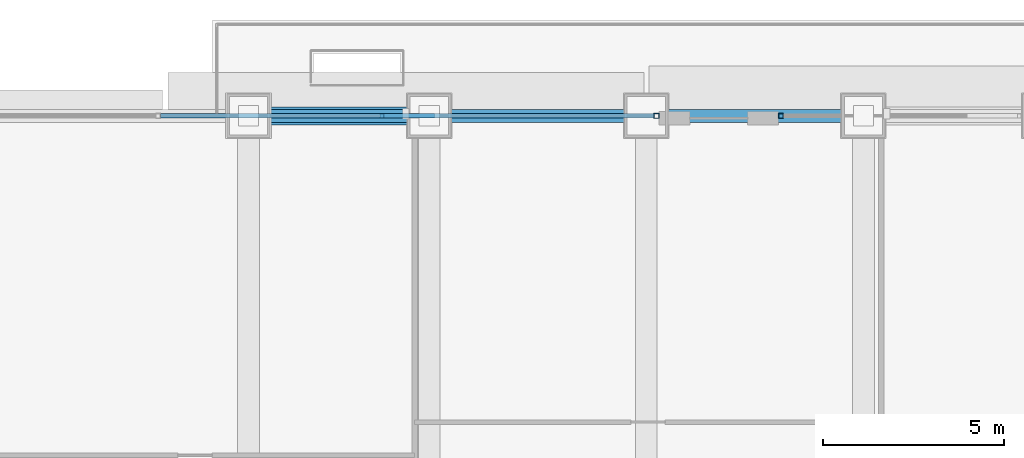
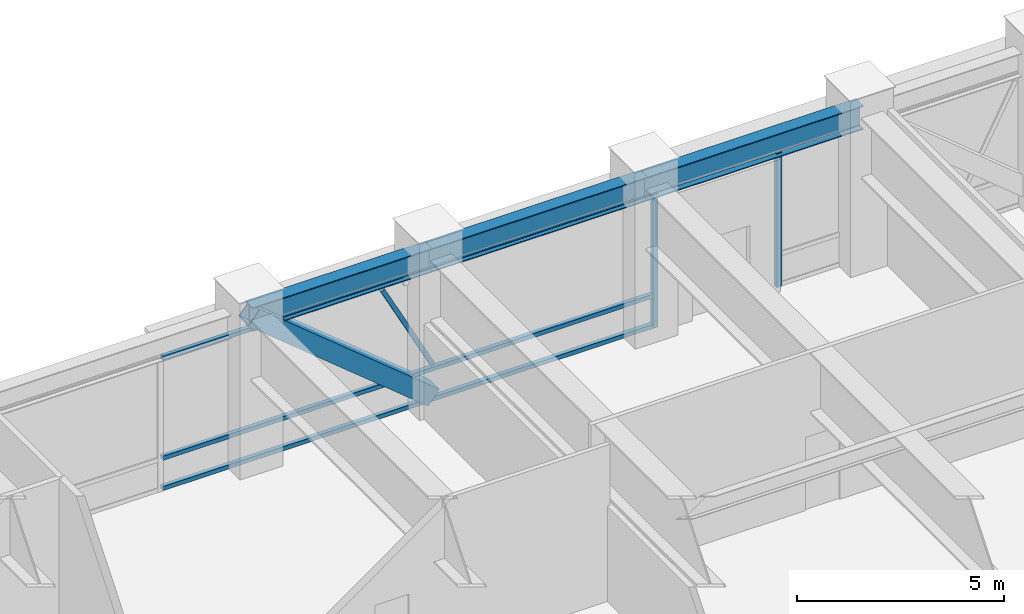
# One storey, part 20 of 34: 7 members, 3 beams, 2 elements without a shape of their own.
"""IFC4 building model written with IfcOpenShell, lengths in metres."""

from ifc_helpers import new_model, si_unit, direction, frame, origin, origin_2d, place, context, subcontext, project, spatial, hollow_rectangle, i_section, extrude, source, transform, mapped, material, material_profile, profile_set, type_object, element, aggregate, save


model = new_model("IFC4")

# Units and contexts
model_context = context("Model", 3, precision=1e-05, world=origin(), true_north=direction((0.0, 1.0)))
body_context = subcontext(model_context, "Body", "Model", "MODEL_VIEW")
ifc_project = project(units=[si_unit("LENGTHUNIT", "METRE"), si_unit("AREAUNIT", "SQUARE_METRE"), si_unit("VOLUMEUNIT", "CUBIC_METRE"), si_unit("PLANEANGLEUNIT", "RADIAN"), si_unit("MASSUNIT", "GRAM", prefix="KILO")], contexts=[model_context])

# Site, building, storey
site_placement = place(None, origin())
site = spatial("IfcSite", under=ifc_project, at=site_placement, CompositionType="ELEMENT")
building_placement = place(site_placement, origin())
building = spatial("IfcBuilding", under=site, at=building_placement, Name="Khorayat Bourse Tower", CompositionType="ELEMENT")
storey_placement = place(building_placement, frame((0.0, 0.0, 144.699951171875)))
storey = spatial("IfcBuildingStorey", under=building, at=storey_placement, Name="L33", CompositionType="ELEMENT", Elevation=144.699951171875)

# Beams
ifc_material_1 = material(Name="Steel ASTM A992 Grade 50", Category="steel")
ifc_material_profile_1 = material_profile(ifc_material_1, i_section(OverallWidth=0.35498046875, OverallDepth=0.695068359375, WebThickness=0.015380859375, FlangeThickness=0.02490234375, FilletRadius=0.01806640625, at=origin_2d()), Name="W690X217")
ifc_profile_set_1 = profile_set([ifc_material_profile_1], Name="Steel ASTM A992 Grade 50")
beam_type = type_object("IfcBeamType", Name="BM-SPAN-690", PredefinedType="SPANDREL", material=ifc_profile_set_1)
shared_shape_1 = source(origin(), body_context, "Body", "SweptSolid", [
    extrude(i_section(OverallWidth=0.35498046875, OverallDepth=0.695068359375, WebThickness=0.015380859375, FlangeThickness=0.02490234375, FilletRadius=0.01806640625, at=origin_2d()), origin(), (0.0, 0.0, 1.0), 5.0),
])
beam_placement = place(storey_placement, frame((-11.0, 32.0, 4.25244140625), z_axis=(1.0, 0.0, 0.0), x_axis=(0.0, 1.0, 0.0)))
element("IfcBeam", 1, at=beam_placement, inside=storey, type_object=beam_type, Name="L33 BM-SPAN-690 BM-L33-SPN-049", PredefinedType="SPANDREL", context=body_context, shape_type="MappedRepresentation", body=[
    mapped(shared_shape_1, transform((0.0, 0.0, 0.0), scale=1.0)),
])
shared_shape_2 = source(origin(), body_context, "Body", "SweptSolid", [
    extrude(i_section(OverallWidth=0.35498046875, OverallDepth=0.695068359375, WebThickness=0.015380859375, FlangeThickness=0.02490234375, FilletRadius=0.01806640625, at=origin_2d()), origin(), (0.0, 0.0, 1.0), 6.0),
])
for number, where, z_axis, x_axis, name in (
    (2, (0.0, 32.0, 4.25244140625), (1.0, 0.0, 0.0), (0.0, 1.0, 0.0), "L33 BM-SPAN-690 BM-L33-SPN-047"),
    (3, (-6.0, 32.0, 4.25244140625), (1.0, 0.0, 0.0), (0.0, 1.0, 0.0), "L33 BM-SPAN-690 BM-L33-SPN-048"),
):
    element("IfcBeam", number, at=place(storey_placement, frame(where, z_axis=z_axis, x_axis=x_axis)), inside=storey, type_object=beam_type, Name=name, PredefinedType="SPANDREL", context=body_context, shape_type="MappedRepresentation", body=[
        mapped(shared_shape_2, transform((0.0, 0.0, 0.0), scale=1.0)),
    ])

# Member
ifc_material_2 = material(Name="Steel EN 10025-4 S460M", Category="steel")
ifc_material_profile_2 = material_profile(ifc_material_2, hollow_rectangle(XDim=0.5, YDim=0.5, WallThickness=0.028076171875, at=origin_2d()), Name="HSS 500x500x28")
ifc_profile_set_2 = profile_set([ifc_material_profile_2], Name="Steel EN 10025-4 S460M")
member_type_1 = type_object("IfcMemberType", Name="MBR-TUBE-500", PredefinedType="BRACE", material=ifc_profile_set_2)
shared_shape_3 = source(origin(), body_context, "Body", "SweptSolid", [
    extrude(hollow_rectangle(XDim=0.5, YDim=0.5, WallThickness=0.028076171875, at=origin_2d()), origin(), (0.0, 0.0, 1.0), 6.466064453125),
])
member_1_placement = place(storey_placement, frame((-11.0, 32.0, 4.35009765625), z_axis=(0.773260385368, 0.0, -0.634088618744), x_axis=(0.0, 1.0, 0.0)))
element("IfcMember", 4, at=member_1_placement, inside=storey, type_object=member_type_1, Name="L33 Perimeter Tube Brace 03", PredefinedType="BRACE", context=body_context, shape_type="MappedRepresentation", body=[
    mapped(shared_shape_3, transform((0.0, 0.0, 0.0), scale=1.0)),
])

# Curtain wall, member
ifc_material_3 = material(Name="Aluminium EN AW-6063 T6", Category="aluminium")
curtain_wall_type = type_object("IfcCurtainWallType", Name="CW-SYS-05", PredefinedType="NOTDEFINED", material=ifc_material_3)
curtain_wall_1_placement = place(storey_placement, origin())
curtain_wall_1 = element("IfcCurtainWall", 5, at=curtain_wall_1_placement, inside=storey, type_object=curtain_wall_type, Name="L33 Curtain Wall CW-L33-N1", PredefinedType="NOTDEFINED")
ifc_material_profile_3 = material_profile(ifc_material_3, hollow_rectangle(XDim=0.139892578125, YDim=0.139892578125, WallThickness=0.006103515625, at=origin_2d()), Name="ALU 140x140x6")
ifc_profile_set_3 = profile_set([ifc_material_profile_3], Name="Aluminium EN AW-6063 T6")
member_type_2 = type_object("IfcMemberType", Name="CWM-VERT-140", PredefinedType="MULLION", material=ifc_profile_set_3)
shared_shape_4 = source(origin(), body_context, "Body", "SweptSolid", [
    extrude(hollow_rectangle(XDim=0.139892578125, YDim=0.139892578125, WallThickness=0.006103515625, at=origin_2d()), origin(), (0.0, 0.0, 1.0), 3.949951171875),
])
member_2_placement = place(storey_placement, frame((0.280029296875, 32.0, 0.0), z_axis=(0.0, 0.0, 1.0), x_axis=(0.0, 1.0, 0.0)))
member_2 = element("IfcMember", 6, at=member_2_placement, type_object=member_type_2, Name="CW-L33-N1 Vertical Mullion 3", PredefinedType="MULLION", context=body_context, shape_type="MappedRepresentation", body=[
    mapped(shared_shape_4, transform((0.0, 0.0, 0.0), scale=1.0)),
])

curtain_wall_2_placement = place(storey_placement, origin())
curtain_wall_2 = element("IfcCurtainWall", 7, at=curtain_wall_2_placement, inside=storey, type_object=curtain_wall_type, Name="L33 Curtain Wall CW-L33-N2", PredefinedType="NOTDEFINED")
member_3_placement = place(storey_placement, frame((3.719970703125, 32.0, 0.0), z_axis=(0.0, 0.0, 1.0), x_axis=(0.0, 1.0, 0.0)))
member_3 = element("IfcMember", 8, at=member_3_placement, type_object=member_type_2, Name="CW-L33-N2 Vertical Mullion 1", PredefinedType="MULLION", context=body_context, shape_type="MappedRepresentation", body=[
    mapped(shared_shape_4, transform((0.0, 0.0, 0.0), scale=1.0)),
])
aggregate(curtain_wall_2, [member_3])

# Member
ifc_material_profile_4 = material_profile(ifc_material_3, hollow_rectangle(XDim=0.1201171875, YDim=0.1201171875, WallThickness=0.0048828125, at=origin_2d()), Name="ALU 120x120x5")
ifc_profile_set_4 = profile_set([ifc_material_profile_4], Name="Aluminium EN AW-6063 T6")
member_type_3 = type_object("IfcMemberType", Name="CWT-HORZ-120", PredefinedType="USERDEFINED", material=ifc_profile_set_4)
shared_shape_5 = source(origin(), body_context, "Body", "SweptSolid", [
    extrude(hollow_rectangle(XDim=0.1201171875, YDim=0.1201171875, WallThickness=0.0048828125, at=origin_2d()), origin(), (0.0, 0.0, 1.0), 13.639892578125),
])
member_4_placement = place(storey_placement, frame((-13.429931640625, 32.0, 0.06005859375), z_axis=(1.0, 0.0, 0.0), x_axis=(0.0, 1.0, 0.0)))
member_4 = element("IfcMember", 9, at=member_4_placement, type_object=member_type_3, Name="CW-L33-N1 Horizontal Transom 2-1", ObjectType="TRANSOM", PredefinedType="USERDEFINED", context=body_context, shape_type="MappedRepresentation", body=[
    mapped(shared_shape_5, transform((0.0, 0.0, 0.0), scale=1.0)),
])

member_5_placement = place(storey_placement, frame((-13.429931640625, 32.0, 0.949951171875), z_axis=(1.0, 0.0, 0.0), x_axis=(0.0, 1.0, 0.0)))
member_5 = element("IfcMember", 10, at=member_5_placement, type_object=member_type_3, Name="CW-L33-N1 Horizontal Transom 2-2", ObjectType="TRANSOM", PredefinedType="USERDEFINED", context=body_context, shape_type="MappedRepresentation", body=[
    mapped(shared_shape_5, transform((0.0, 0.0, 0.0), scale=1.0)),
])

member_6_placement = place(storey_placement, frame((-13.429931640625, 32.0, 3.89013671875), z_axis=(1.0, 0.0, 0.0), x_axis=(0.0, 1.0, 0.0)))
member_6 = element("IfcMember", 11, at=member_6_placement, type_object=member_type_3, Name="CW-L33-N1 Horizontal Transom 2-3", ObjectType="TRANSOM", PredefinedType="USERDEFINED", context=body_context, shape_type="MappedRepresentation", body=[
    mapped(shared_shape_5, transform((0.0, 0.0, 0.0), scale=1.0)),
])

ifc_material_profile_5 = material_profile(ifc_material_3, hollow_rectangle(XDim=0.1201171875, YDim=0.1201171875, WallThickness=0.0048828125, at=origin_2d()), Name="ALU 120x120x5")
ifc_profile_set_5 = profile_set([ifc_material_profile_5], Name="Aluminium EN AW-6063 T6")
member_type_4 = type_object("IfcMemberType", Name="CWM-DIAG-120", PredefinedType="MULLION", material=ifc_profile_set_5)
shared_shape_6 = source(origin(), body_context, "Body", "SweptSolid", [
    extrude(hollow_rectangle(XDim=0.1201171875, YDim=0.1201171875, WallThickness=0.0048828125, at=origin_2d()), origin(), (0.0, 0.0, 1.0), 3.005859375),
])
member_7_placement = place(storey_placement, frame((-5.909912109375, 32.0, 1.090087890625), z_axis=(-0.465796644007, 0.0, 0.884891793629), x_axis=(0.0, -1.0, 0.0)))
member_7 = element("IfcMember", 12, at=member_7_placement, type_object=member_type_4, Name="CW-L33-N1 Faceted Diagonal Mullion 2", PredefinedType="MULLION", context=body_context, shape_type="MappedRepresentation", body=[
    mapped(shared_shape_6, transform((0.0, 0.0, 0.0), scale=1.0)),
])

aggregate(curtain_wall_1, [member_2, member_4, member_5, member_6, member_7])

save(model, "model.ifc")
